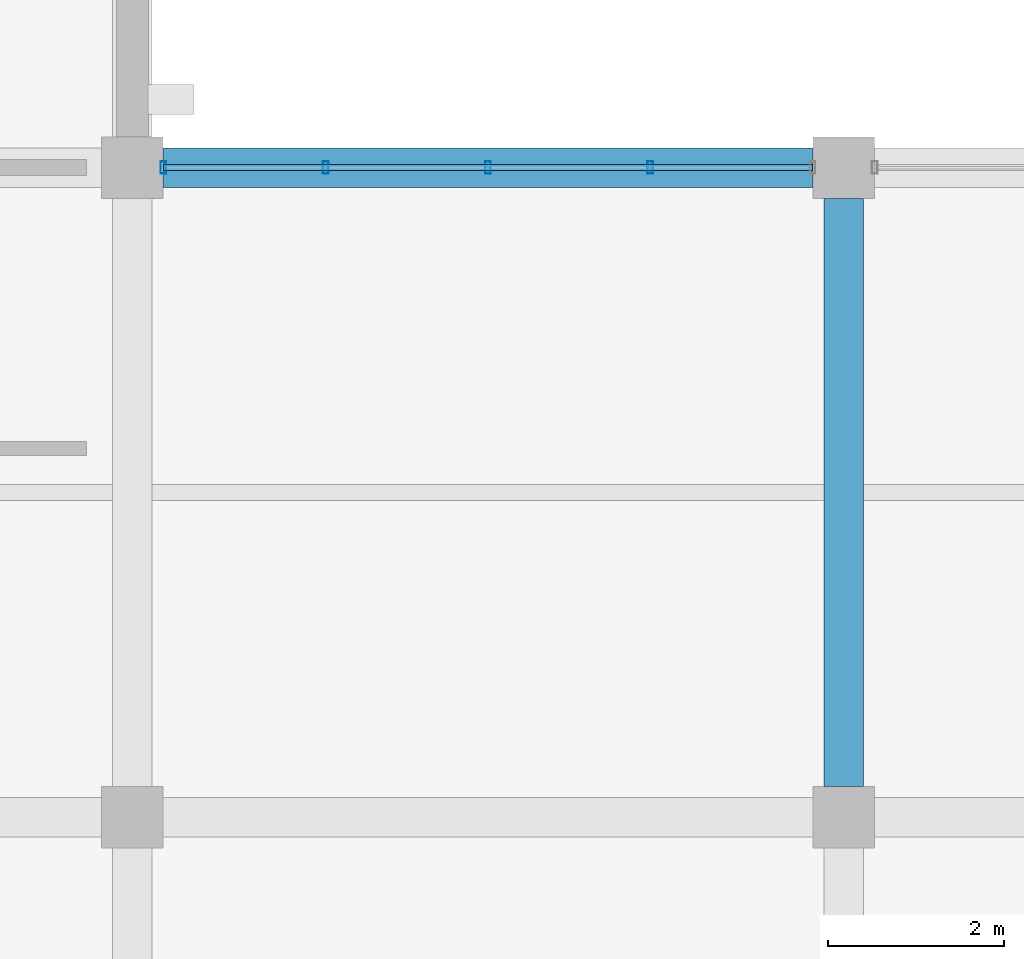
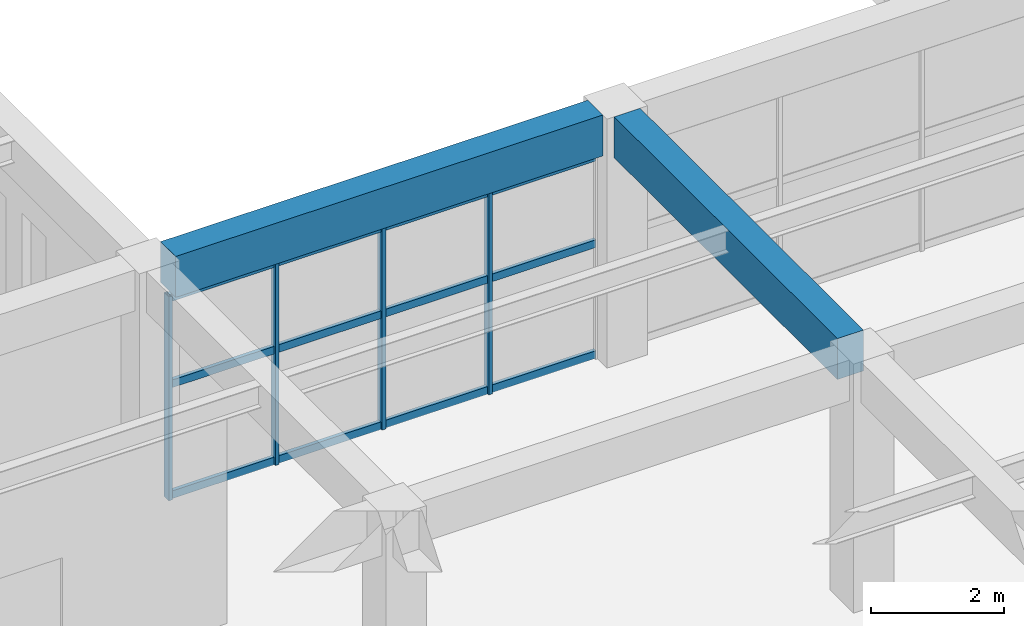
# One storey, part 12 of 161: 7 members, 2 beams, 1 element without a shape of its own.
"""IFC4 building model written with IfcOpenShell, lengths in metres."""

from ifc_helpers import new_model, si_unit, direction, frame, origin, origin_2d, place, context, subcontext, project, spatial, rectangle, hollow_rectangle, extrude, material, material_profile, profile_set, type_object, element, aggregate, save


model = new_model("IFC4")

# Units and contexts
model_context = context("Model", 3, precision=1e-05, world=origin(), true_north=direction((0.0, 1.0)))
body_context = subcontext(model_context, "Body", "Model", "MODEL_VIEW")
ifc_project = project(units=[si_unit("LENGTHUNIT", "METRE"), si_unit("AREAUNIT", "SQUARE_METRE"), si_unit("VOLUMEUNIT", "CUBIC_METRE"), si_unit("PLANEANGLEUNIT", "RADIAN"), si_unit("MASSUNIT", "GRAM", prefix="KILO")], contexts=[model_context])

# Site, building, storey
site_placement = place(None, origin())
site = spatial("IfcSite", under=ifc_project, at=site_placement, CompositionType="ELEMENT")
building_placement = place(site_placement, origin())
building = spatial("IfcBuilding", under=site, at=building_placement, Name="Cimatlan Art Gallery", CompositionType="ELEMENT")
storey_placement = place(building_placement, frame((0.0, 0.0, 5.39990234375)))
storey = spatial("IfcBuildingStorey", under=building, at=storey_placement, Name="L01", CompositionType="ELEMENT", Elevation=5.39990234375)

# Beams
ifc_material_1 = material(Name="Concrete C40/50", Category="concrete")
ifc_material_profile_1 = material_profile(ifc_material_1, rectangle(XDim=0.449951171875, YDim=0.75, at=origin_2d()), Name="RC450X750")
ifc_profile_set_1 = profile_set([ifc_material_profile_1], Name="Concrete C40/50")
beam_type = type_object("IfcBeamType", Name="BM-RC-450X750", PredefinedType="BEAM", material=ifc_profile_set_1)
beam_1_placement = place(storey_placement, frame((26.300048828125, 31.64990234375, 4.18505859375), z_axis=(0.0, 1.0, 0.0), x_axis=(-1.0, 0.0, 0.0)))
element("IfcBeam", 1, at=beam_1_placement, inside=storey, type_object=beam_type, Name="BM-Y-L01-03-04", PredefinedType="BEAM", context=body_context, shape_type="SweptSolid", body=[
    extrude(rectangle(XDim=0.449951171875, YDim=0.75, at=origin_2d()), origin(), (0.0, 0.0, 1.0), 6.7001953125),
])
beam_2_placement = place(storey_placement, frame((18.550048828125, 38.699951171875, 4.18505859375), z_axis=(1.0, 0.0, 0.0), x_axis=(0.0, 1.0, 0.0)))
element("IfcBeam", 2, at=beam_2_placement, inside=storey, type_object=beam_type, Name="BM-X-L01-02-05", PredefinedType="BEAM", context=body_context, shape_type="SweptSolid", body=[
    extrude(rectangle(XDim=0.449951171875, YDim=0.75, at=origin_2d()), origin(), (0.0, 0.0, 1.0), 7.39990234375),
])

# Curtain wall, members
ifc_material_2 = material(Name="Anodised bronze unitised curtain wall")
curtain_wall_type = type_object("IfcCurtainWallType", Name="CW-V-07392X03735-B4", PredefinedType="NOTDEFINED", material=ifc_material_2)
curtain_wall_placement = place(storey_placement, origin())
curtain_wall = element("IfcCurtainWall", 3, at=curtain_wall_placement, inside=storey, type_object=curtain_wall_type, Name="CW-L01-02-04-N", PredefinedType="NOTDEFINED")
ifc_material_3 = material(Name="Anodised bronze aluminium 6063-T6", Category="aluminium")
ifc_material_profile_2 = material_profile(ifc_material_3, hollow_rectangle(XDim=0.06494140625, YDim=0.139892578125, WallThickness=0.00390625, at=origin_2d()), Name="ALU65X140X4")
ifc_profile_set_2 = profile_set([ifc_material_profile_2], Name="Anodised bronze aluminium 6063-T6")
member_type_1 = type_object("IfcMemberType", Name="CW-MUL-140", PredefinedType="MULLION", material=ifc_profile_set_2)
member_1_placement = place(storey_placement, frame((18.553955078125, 38.699951171875, 0.0), z_axis=(0.0, 0.0, 1.0), x_axis=(1.0, 0.0, 0.0)))
member_1 = element("IfcMember", 4, at=member_1_placement, type_object=member_type_1, Name="CW-L01-02-04-N-M1", PredefinedType="MULLION", context=body_context, shape_type="SweptSolid", body=[
    extrude(hollow_rectangle(XDim=0.06494140625, YDim=0.139892578125, WallThickness=0.00390625, at=origin_2d()), origin(), (0.0, 0.0, 1.0), 3.735107421875),
])
member_2_placement = place(storey_placement, frame((20.402099609375, 38.699951171875, 0.0), z_axis=(0.0, 0.0, 1.0), x_axis=(1.0, 0.0, 0.0)))
member_2 = element("IfcMember", 5, at=member_2_placement, type_object=member_type_1, Name="CW-L01-02-04-N-M2", PredefinedType="MULLION", context=body_context, shape_type="SweptSolid", body=[
    extrude(hollow_rectangle(XDim=0.06494140625, YDim=0.139892578125, WallThickness=0.00390625, at=origin_2d()), origin(), (0.0, 0.0, 1.0), 3.735107421875),
])
member_3_placement = place(storey_placement, frame((22.25, 38.699951171875, 0.0), z_axis=(0.0, 0.0, 1.0), x_axis=(1.0, 0.0, 0.0)))
member_3 = element("IfcMember", 6, at=member_3_placement, type_object=member_type_1, Name="CW-L01-02-04-N-M3", PredefinedType="MULLION", context=body_context, shape_type="SweptSolid", body=[
    extrude(hollow_rectangle(XDim=0.06494140625, YDim=0.139892578125, WallThickness=0.00390625, at=origin_2d()), origin(), (0.0, 0.0, 1.0), 3.735107421875),
])
member_4_placement = place(storey_placement, frame((24.097900390625, 38.699951171875, 0.0), z_axis=(0.0, 0.0, 1.0), x_axis=(1.0, 0.0, 0.0)))
member_4 = element("IfcMember", 7, at=member_4_placement, type_object=member_type_1, Name="CW-L01-02-04-N-M4", PredefinedType="MULLION", context=body_context, shape_type="SweptSolid", body=[
    extrude(hollow_rectangle(XDim=0.06494140625, YDim=0.139892578125, WallThickness=0.00390625, at=origin_2d()), origin(), (0.0, 0.0, 1.0), 3.735107421875),
])
ifc_material_profile_3 = material_profile(ifc_material_3, hollow_rectangle(XDim=0.06494140625, YDim=0.139892578125, WallThickness=0.00390625, at=origin_2d()), Name="ALU65X140X4")
ifc_profile_set_3 = profile_set([ifc_material_profile_3], Name="Anodised bronze aluminium 6063-T6")
member_type_2 = type_object("IfcMemberType", Name="CW-TRN-140", PredefinedType="USERDEFINED", material=ifc_profile_set_3)
member_5_placement = place(storey_placement, frame((18.553955078125, 38.699951171875, 0.06005859375), z_axis=(1.0, 0.0, 0.0), x_axis=(0.0, 1.0, 0.0)))
member_5 = element("IfcMember", 8, at=member_5_placement, type_object=member_type_2, Name="CW-L01-02-04-N-T1", ObjectType="TRANSOM", PredefinedType="USERDEFINED", context=body_context, shape_type="SweptSolid", body=[
    extrude(hollow_rectangle(XDim=0.06494140625, YDim=0.139892578125, WallThickness=0.00390625, at=origin_2d()), origin(), (0.0, 0.0, 1.0), 7.39208984375),
])
member_6_placement = place(storey_placement, frame((18.553955078125, 38.699951171875, 2.091796875), z_axis=(1.0, 0.0, 0.0), x_axis=(0.0, 1.0, 0.0)))
member_6 = element("IfcMember", 9, at=member_6_placement, type_object=member_type_2, Name="CW-L01-02-04-N-T2", ObjectType="TRANSOM", PredefinedType="USERDEFINED", context=body_context, shape_type="SweptSolid", body=[
    extrude(hollow_rectangle(XDim=0.06494140625, YDim=0.139892578125, WallThickness=0.00390625, at=origin_2d()), origin(), (0.0, 0.0, 1.0), 7.39208984375),
])
member_7_placement = place(storey_placement, frame((18.553955078125, 38.699951171875, 3.675048828125), z_axis=(1.0, 0.0, 0.0), x_axis=(0.0, 1.0, 0.0)))
member_7 = element("IfcMember", 10, at=member_7_placement, type_object=member_type_2, Name="CW-L01-02-04-N-T3", ObjectType="TRANSOM", PredefinedType="USERDEFINED", context=body_context, shape_type="SweptSolid", body=[
    extrude(hollow_rectangle(XDim=0.06494140625, YDim=0.139892578125, WallThickness=0.00390625, at=origin_2d()), origin(), (0.0, 0.0, 1.0), 7.39208984375),
])
aggregate(curtain_wall, [member_1, member_2, member_3, member_4, member_5, member_6, member_7])

save(model, "model.ifc")
